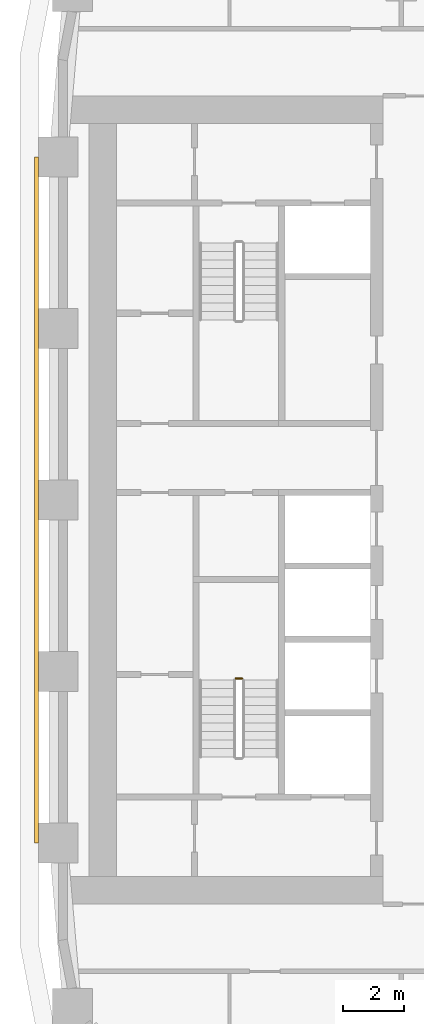
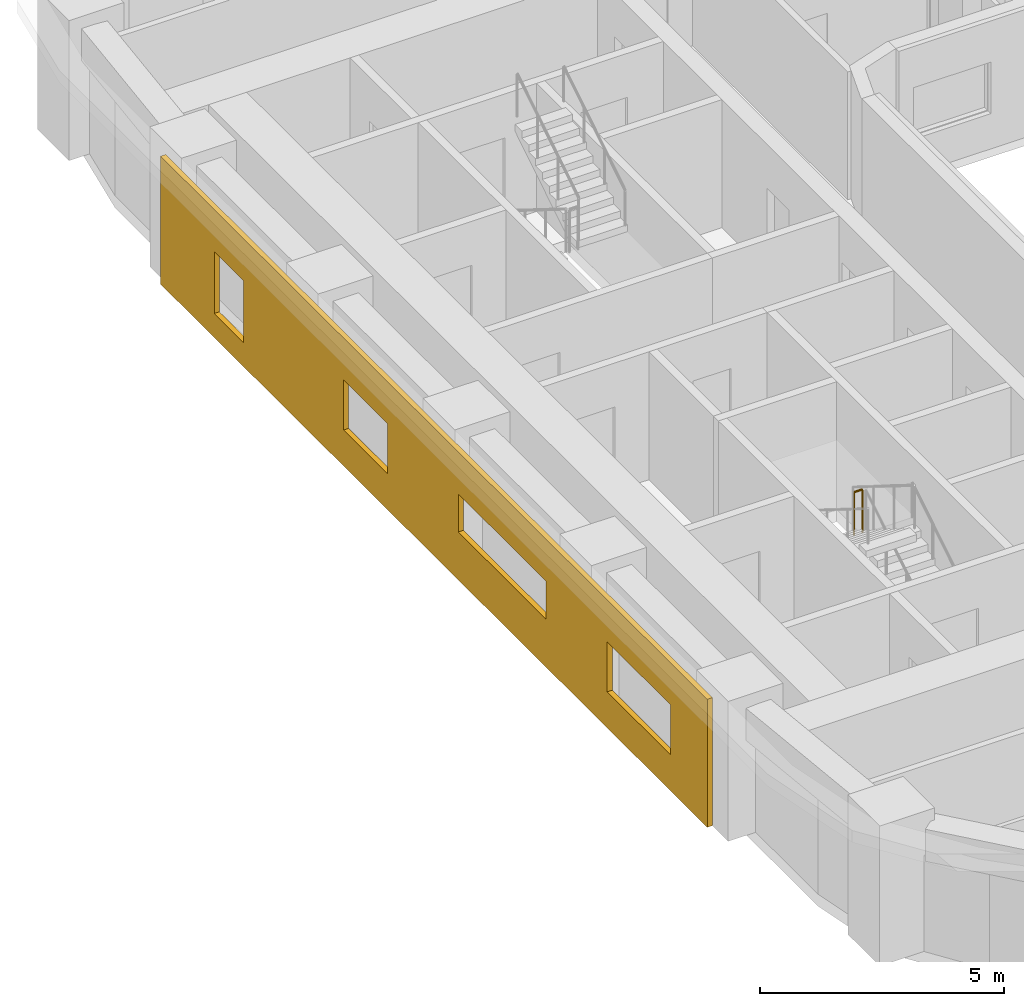
# One storey, part 13 of 22: 1 covering, 1 railing.
"""IFC4 building model written with IfcOpenShell, lengths in metres."""

from ifc_helpers import new_model, si_unit, direction, frame, origin, origin_2d, place, context, subcontext, project, spatial, polyline, circle, outline, extrude, material, layer, layer_set, type_object, element, save


model = new_model("IFC4")

# Units and contexts
model_context = context("Model", 3, precision=1e-05, world=origin(), true_north=direction((0.0, 1.0)))
body_context = subcontext(model_context, "Body", "Model", "MODEL_VIEW")
ifc_project = project(units=[si_unit("LENGTHUNIT", "METRE"), si_unit("AREAUNIT", "SQUARE_METRE"), si_unit("VOLUMEUNIT", "CUBIC_METRE"), si_unit("PLANEANGLEUNIT", "RADIAN"), si_unit("MASSUNIT", "GRAM", prefix="KILO")], contexts=[model_context])

# Site, building, storey
site_placement = place(None, origin())
site = spatial("IfcSite", under=ifc_project, at=site_placement, CompositionType="ELEMENT")
building_placement = place(site_placement, origin())
building = spatial("IfcBuilding", under=site, at=building_placement, Name="Kiln Ring Residences", CompositionType="ELEMENT")
storey_placement = place(building_placement, frame((0.0, 0.0, 97.300048828125)))
storey = spatial("IfcBuildingStorey", under=building, at=storey_placement, Name="L24", CompositionType="ELEMENT", Elevation=97.300048828125)

# Railing
ifc_material_1 = material(Name="Stainless steel", Category="steel")
railing_type = type_object("IfcRailingType", Name="CORE-STAIR-GUARD", PredefinedType="GUARDRAIL", material=ifc_material_1)
railing_placement = place(storey_placement, frame((-22.0, -5.830078125, 1.75)))
element("IfcRailing", 1, at=railing_placement, inside=storey, type_object=railing_type, Name="L24 W-STS stair guard 2", PredefinedType="GUARDRAIL", context=body_context, shape_type="SweptSolid", body=[
    extrude(circle(Radius=0.02392578125, at=origin_2d()), frame((0.0, 0.0, 1.076171875), z_axis=(-1.0, 0.0, 0.0), x_axis=(0.0, -1.0, 0.0)), (0.0, 0.0, 1.0), 0.199951171875),
    extrude(circle(Radius=0.02099609375, at=origin_2d()), origin(), (0.0, 0.0, 1.0), 1.052001953125),
    extrude(circle(Radius=0.02099609375, at=origin_2d()), frame((-0.199951171875, 0.0, 0.0)), (0.0, 0.0, 1.0), 1.052001953125),
])

# Covering
ifc_material_2 = material(Name="Brick masonry, dark clay brick", Category="masonry")
ifc_layer = layer(ifc_material_2, 0.1201171875)
ifc_layer_set = layer_set([ifc_layer], Name="RAINSCREEN PANEL 120")
covering_type = type_object("IfcCoveringType", Name="RAINSCREEN PANEL 120", PredefinedType="CLADDING", material=ifc_layer_set)
covering_placement = place(storey_placement, frame((-28.7099609375, 11.199951171875, 0.0), z_axis=(0.0, 0.0, 1.0), x_axis=(0.0, -1.0, 0.0)))
element("IfcCovering", 2, at=covering_placement, inside=storey, type_object=covering_type, Name="RAINSCREEN L24", PredefinedType="CLADDING", context=body_context, shape_type="SweptSolid", body=[
    extrude(outline(polyline([(0.0, 0.0), (22.39990234375, 0.0), (22.39990234375, 3.199951171875), (0.0, 3.199951171875), (0.0, 0.0)]), holes=[polyline([(3.39990234375, 0.599853515625), (3.39990234375, 2.14990234375), (2.199951171875, 2.14990234375), (2.199951171875, 0.599853515625), (3.39990234375, 0.599853515625)]), polyline([(9.300048828125, 0.89990234375), (9.300048828125, 2.14990234375), (7.5, 2.14990234375), (7.5, 0.89990234375), (9.300048828125, 0.89990234375)]), polyline([(20.89990234375, 0.89990234375), (20.89990234375, 2.14990234375), (18.300048828125, 2.14990234375), (18.300048828125, 0.89990234375), (20.89990234375, 0.89990234375)]), polyline([(15.800048828125, 1.199951171875), (15.800048828125, 2.14990234375), (12.199951171875, 2.14990234375), (12.199951171875, 1.199951171875), (15.800048828125, 1.199951171875)])]), frame((0.0, 0.06005859375, 0.0), z_axis=(0.0, -1.0, 0.0), x_axis=(1.0, 0.0, 0.0)), (0.0, 0.0, 1.0), 0.1201171875),
])

save(model, "model.ifc")
